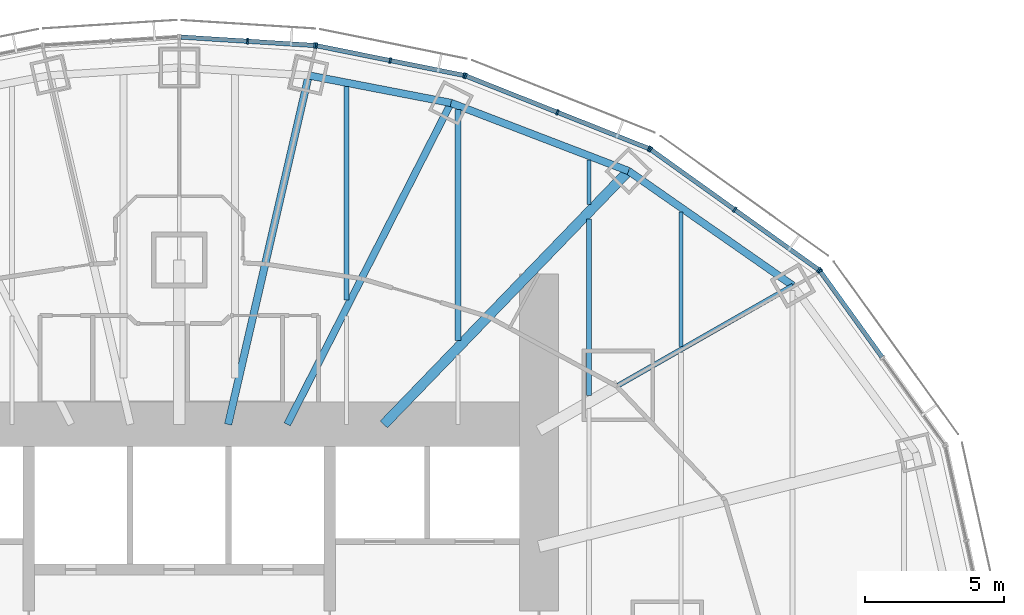
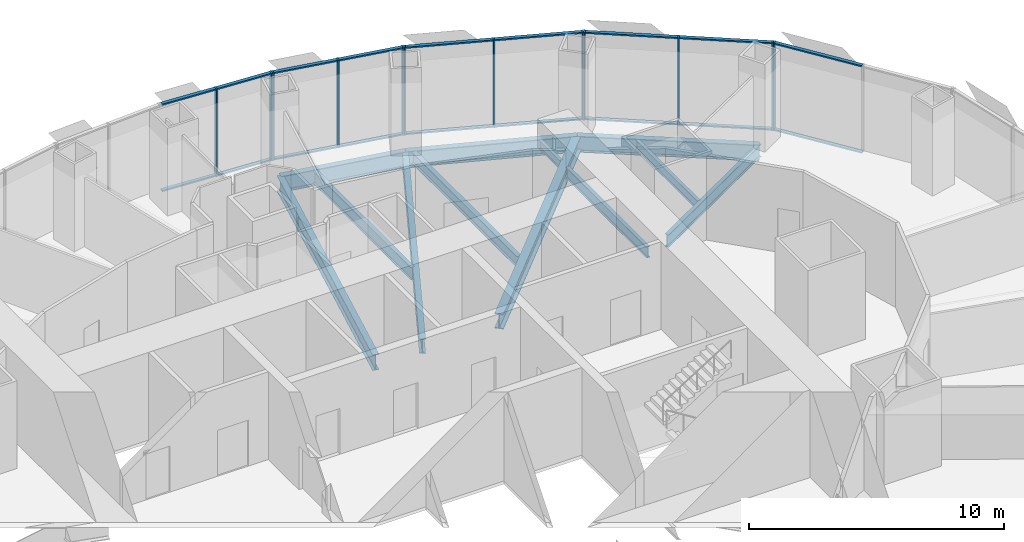
# One storey, part 8 of 18: 30 members, 12 beams, 5 elements without a shape of their own.
"""IFC4 building model written with IfcOpenShell, lengths in metres."""

from ifc_helpers import new_model, si_unit, direction, frame, origin, origin_2d, place, context, subcontext, project, spatial, rectangle, i_section, extrude, material, material_profile, profile_set, type_object, element, aggregate, save


model = new_model("IFC4")

# Units and contexts
model_context = context("Model", 3, precision=1e-05, world=origin(), true_north=direction((0.0, 1.0)))
body_context = subcontext(model_context, "Body", "Model", "MODEL_VIEW")
ifc_project = project(units=[si_unit("LENGTHUNIT", "METRE"), si_unit("AREAUNIT", "SQUARE_METRE"), si_unit("VOLUMEUNIT", "CUBIC_METRE"), si_unit("PLANEANGLEUNIT", "RADIAN"), si_unit("MASSUNIT", "GRAM", prefix="KILO")], contexts=[model_context])

# Site, building, storey
site_placement = place(None, origin())
site = spatial("IfcSite", under=ifc_project, at=site_placement, CompositionType="ELEMENT")
building_placement = place(site_placement, origin())
building = spatial("IfcBuilding", under=site, at=building_placement, Name="Lantaw Convention Tower", CompositionType="ELEMENT")
storey_placement = place(building_placement, frame((0.0, 0.0, 138.39990234375)))
storey = spatial("IfcBuildingStorey", under=building, at=storey_placement, Name="L32", CompositionType="ELEMENT", Elevation=138.39990234375)

# Beams
ifc_material_1 = material(Name="Steel ASTM A992", Category="steel")
ifc_material_profile_1 = material_profile(ifc_material_1, i_section(OverallWidth=0.2666015625, OverallDepth=0.76953125, WebThickness=0.015625, FlangeThickness=0.025390625, FilletRadius=0.0126953125, at=origin_2d()), Name="W30X132")
ifc_profile_set_1 = profile_set([ifc_material_profile_1], Name="Steel ASTM A992")
beam_type_1 = type_object("IfcBeamType", Name="Beam E W30X132", PredefinedType="SPANDREL", material=ifc_profile_set_1)
beam_1_placement = place(storey_placement, frame((22.013916015625, 12.579345703125, -0.53466796875), z_axis=(-0.820310765287, 0.57191804339, 0.0), x_axis=(-0.57191804339, -0.820310765287, 0.0)))
element("IfcBeam", 1, at=beam_1_placement, inside=storey, type_object=beam_type_1, Name="Edge beam 3", PredefinedType="SPANDREL", context=body_context, shape_type="SweptSolid", body=[
    extrude(i_section(OverallWidth=0.2666015625, OverallDepth=0.76953125, WebThickness=0.015625, FlangeThickness=0.025390625, FilletRadius=0.0126953125, at=origin_2d()), origin(), (0.0, 0.0, 1.0), 7.187744140625),
])
beam_2_placement = place(storey_placement, frame((16.11767578125, 16.690185546875, -0.53466796875), z_axis=(-0.933691081977, 0.358079549033, 0.0), x_axis=(-0.358079549033, -0.933691081977, 0.0)))
element("IfcBeam", 2, at=beam_2_placement, inside=storey, type_object=beam_type_1, Name="Edge beam 4", PredefinedType="SPANDREL", context=body_context, shape_type="SweptSolid", body=[
    extrude(i_section(OverallWidth=0.2666015625, OverallDepth=0.76953125, WebThickness=0.015625, FlangeThickness=0.025390625, FilletRadius=0.0126953125, at=origin_2d()), origin(), (0.0, 0.0, 1.0), 6.821533203125),
])
beam_3_placement = place(storey_placement, frame((9.74853515625, 19.1328125, -0.53466796875), z_axis=(-0.981796805654, 0.189934284446, 0.0), x_axis=(-0.189934284446, -0.981796805654, 0.0)))
element("IfcBeam", 3, at=beam_3_placement, inside=storey, type_object=beam_type_1, Name="Edge beam 5", PredefinedType="SPANDREL", context=body_context, shape_type="SweptSolid", body=[
    extrude(i_section(OverallWidth=0.2666015625, OverallDepth=0.76953125, WebThickness=0.015625, FlangeThickness=0.025390625, FilletRadius=0.0126953125, at=origin_2d()), origin(), (0.0, 0.0, 1.0), 5.1982421875),
])
ifc_material_profile_2 = material_profile(ifc_material_1, i_section(OverallWidth=0.177978515625, OverallDepth=0.599365234375, WebThickness=0.010009765625, FlangeThickness=0.012939453125, FilletRadius=0.012939453125, at=origin_2d()), Name="W24X55")
ifc_profile_set_2 = profile_set([ifc_material_profile_2], Name="Steel ASTM A992")
beam_type_2 = type_object("IfcBeamType", Name="Beam G W24X55", PredefinedType="BEAM", material=ifc_profile_set_2)
beam_4_placement = place(storey_placement, frame((15.75, 9.0, -0.44970703125), z_axis=(0.868245224608, 0.496135293993, 0.0), x_axis=(-0.496135293993, 0.868245224608, 0.0)))
element("IfcBeam", 4, at=beam_4_placement, inside=storey, type_object=beam_type_2, Name="Floor girder on ray 3", PredefinedType="BEAM", context=body_context, shape_type="SweptSolid", body=[
    extrude(i_section(OverallWidth=0.177978515625, OverallDepth=0.599365234375, WebThickness=0.010009765625, FlangeThickness=0.012939453125, FilletRadius=0.012939453125, at=origin_2d()), origin(), (0.0, 0.0, 1.0), 7.21435546875),
])
ifc_material_profile_3 = material_profile(ifc_material_1, i_section(OverallWidth=0.25390625, OverallDepth=0.700927734375, WebThickness=0.015380859375, FlangeThickness=0.02783203125, FilletRadius=0.01513671875, at=origin_2d()), Name="W27X129")
ifc_profile_set_3 = profile_set([ifc_material_profile_3], Name="Steel ASTM A992")
beam_type_3 = type_object("IfcBeamType", Name="Beam G W27X129", PredefinedType="BEAM", material=ifc_profile_set_3)
beam_5_placement = place(storey_placement, frame((3.872314453125, 7.60009765625, -0.50048828125), z_axis=(0.453991051051, 0.891006243281, 0.0), x_axis=(-0.891006243281, 0.453991051051, 0.0)))
element("IfcBeam", 5, at=beam_5_placement, inside=storey, type_object=beam_type_3, Name="Floor girder on ray 5", PredefinedType="BEAM", context=body_context, shape_type="SweptSolid", body=[
    extrude(i_section(OverallWidth=0.25390625, OverallDepth=0.700927734375, WebThickness=0.015380859375, FlangeThickness=0.02783203125, FilletRadius=0.01513671875, at=origin_2d()), origin(), (0.0, 0.0, 1.0), 12.943359375),
])
ifc_material_profile_4 = material_profile(ifc_material_1, i_section(OverallWidth=0.360595703125, OverallDepth=0.72900390625, WebThickness=0.023193359375, FlangeThickness=0.041015625, FilletRadius=0.0126953125, at=origin_2d()), Name="W27X235")
ifc_profile_set_4 = profile_set([ifc_material_profile_4], Name="Steel ASTM A992")
beam_type_4 = type_object("IfcBeamType", Name="Beam G W27X235", PredefinedType="BEAM", material=ifc_profile_set_4)
beam_6_placement = place(storey_placement, frame((7.33935546875, 7.60009765625, -0.514404296875), z_axis=(0.694663467407, 0.719334878239, 0.0), x_axis=(-0.719334878239, 0.694663467407, 0.0)))
element("IfcBeam", 6, at=beam_6_placement, inside=storey, type_object=beam_type_4, Name="Floor girder on ray 4", PredefinedType="BEAM", context=body_context, shape_type="SweptSolid", body=[
    extrude(i_section(OverallWidth=0.360595703125, OverallDepth=0.72900390625, WebThickness=0.023193359375, FlangeThickness=0.041015625, FilletRadius=0.0126953125, at=origin_2d()), origin(), (0.0, 0.0, 1.0), 12.63671875),
])
ifc_material_profile_5 = material_profile(ifc_material_1, i_section(OverallWidth=0.2666015625, OverallDepth=0.7568359375, WebThickness=0.013916015625, FlangeThickness=0.019287109375, FilletRadius=0.0126953125, at=origin_2d()), Name="W30X108")
ifc_profile_set_5 = profile_set([ifc_material_profile_5], Name="Steel ASTM A992")
beam_type_5 = type_object("IfcBeamType", Name="Beam G W30X108", PredefinedType="BEAM", material=ifc_profile_set_5)
beam_7_placement = place(storey_placement, frame((1.754638671875, 7.60009765625, -0.5283203125), z_axis=(0.224944153104, 0.974371658036, 0.0), x_axis=(-0.974371658036, 0.224944153104, 0.0)))
element("IfcBeam", 7, at=beam_7_placement, inside=storey, type_object=beam_type_5, Name="Floor girder on ray 6", PredefinedType="BEAM", context=body_context, shape_type="SweptSolid", body=[
    extrude(i_section(OverallWidth=0.2666015625, OverallDepth=0.7568359375, WebThickness=0.013916015625, FlangeThickness=0.019287109375, FilletRadius=0.0126953125, at=origin_2d()), origin(), (0.0, 0.0, 1.0), 12.849365234375),
])
ifc_material_profile_6 = material_profile(ifc_material_1, i_section(OverallWidth=0.140380859375, OverallDepth=0.40380859375, WebThickness=0.007080078125, FlangeThickness=0.01123046875, FilletRadius=0.01025390625, at=origin_2d()), Name="W16X31")
ifc_profile_set_6 = profile_set([ifc_material_profile_6], Name="Steel ASTM A992")
beam_type_6 = type_object("IfcBeamType", Name="Beam J W16X31", PredefinedType="JOIST", material=ifc_profile_set_6)
beam_8_placement = place(storey_placement, frame((14.699951171875, 15.48193359375, -0.351806640625), z_axis=(0.0, 1.0, 0.0), x_axis=(-1.0, 0.0, 0.0)))
element("IfcBeam", 8, at=beam_8_placement, inside=storey, type_object=beam_type_6, Name="Floor joist", PredefinedType="JOIST", context=body_context, shape_type="SweptSolid", body=[
    extrude(i_section(OverallWidth=0.140380859375, OverallDepth=0.40380859375, WebThickness=0.007080078125, FlangeThickness=0.01123046875, FilletRadius=0.01025390625, at=origin_2d()), origin(), (0.0, 0.0, 1.0), 1.609130859375),
])
ifc_material_profile_7 = material_profile(ifc_material_1, i_section(OverallWidth=0.15234375, OverallDepth=0.449462890625, WebThickness=0.007568359375, FlangeThickness=0.0107421875, FilletRadius=0.01025390625, at=origin_2d()), Name="W18X35")
ifc_profile_set_7 = profile_set([ifc_material_profile_7], Name="Steel ASTM A992")
beam_type_7 = type_object("IfcBeamType", Name="Beam J W18X35", PredefinedType="JOIST", material=ifc_profile_set_7)
beam_9_placement = place(storey_placement, frame((18.0, 10.38818359375, -0.374755859375), z_axis=(0.0, 1.0, 0.0), x_axis=(-1.0, 0.0, 0.0)))
element("IfcBeam", 9, at=beam_9_placement, inside=storey, type_object=beam_type_7, Name="Floor joist", PredefinedType="JOIST", context=body_context, shape_type="SweptSolid", body=[
    extrude(i_section(OverallWidth=0.15234375, OverallDepth=0.449462890625, WebThickness=0.007568359375, FlangeThickness=0.0107421875, FilletRadius=0.01025390625, at=origin_2d()), origin(), (0.0, 0.0, 1.0), 4.8271484375),
])
ifc_material_profile_8 = material_profile(ifc_material_1, i_section(OverallWidth=0.1650390625, OverallDepth=0.52587890625, WebThickness=0.0087890625, FlangeThickness=0.011474609375, FilletRadius=0.0126953125, at=origin_2d()), Name="W21X44")
ifc_profile_set_8 = profile_set([ifc_material_profile_8], Name="Steel ASTM A992")
beam_type_8 = type_object("IfcBeamType", Name="Beam J W21X44", PredefinedType="JOIST", material=ifc_profile_set_8)
beam_10_placement = place(storey_placement, frame((14.699951171875, 8.632568359375, -0.412841796875), z_axis=(0.0, 1.0, 0.0), x_axis=(-1.0, 0.0, 0.0)))
element("IfcBeam", 10, at=beam_10_placement, inside=storey, type_object=beam_type_8, Name="Floor joist", PredefinedType="JOIST", context=body_context, shape_type="SweptSolid", body=[
    extrude(i_section(OverallWidth=0.1650390625, OverallDepth=0.52587890625, WebThickness=0.0087890625, FlangeThickness=0.011474609375, FilletRadius=0.0126953125, at=origin_2d()), origin(), (0.0, 0.0, 1.0), 6.330078125),
])
ifc_material_profile_9 = material_profile(ifc_material_1, i_section(OverallWidth=0.2099609375, OverallDepth=0.535888671875, WebThickness=0.010986328125, FlangeThickness=0.017333984375, FilletRadius=0.012939453125, at=origin_2d()), Name="W21X68")
ifc_profile_set_9 = profile_set([ifc_material_profile_9], Name="Steel ASTM A992")
beam_type_9 = type_object("IfcBeamType", Name="Beam J W21X68", PredefinedType="JOIST", material=ifc_profile_set_9)
beam_11_placement = place(storey_placement, frame((10.0, 10.614990234375, -0.41796875), z_axis=(0.0, 1.0, 0.0), x_axis=(-1.0, 0.0, 0.0)))
element("IfcBeam", 11, at=beam_11_placement, inside=storey, type_object=beam_type_9, Name="Floor joist", PredefinedType="JOIST", context=body_context, shape_type="SweptSolid", body=[
    extrude(i_section(OverallWidth=0.2099609375, OverallDepth=0.535888671875, WebThickness=0.010986328125, FlangeThickness=0.017333984375, FilletRadius=0.012939453125, at=origin_2d()), origin(), (0.0, 0.0, 1.0), 8.278564453125),
])
ifc_material_profile_10 = material_profile(ifc_material_1, i_section(OverallWidth=0.177978515625, OverallDepth=0.599365234375, WebThickness=0.010009765625, FlangeThickness=0.012939453125, FilletRadius=0.012939453125, at=origin_2d()), Name="W24X55")
ifc_profile_set_10 = profile_set([ifc_material_profile_10], Name="Steel ASTM A992")
beam_type_10 = type_object("IfcBeamType", Name="Beam J W24X55", PredefinedType="JOIST", material=ifc_profile_set_10)
beam_12_placement = place(storey_placement, frame((6.0, 12.055419921875, -0.44970703125), z_axis=(0.0, 1.0, 0.0), x_axis=(-1.0, 0.0, 0.0)))
element("IfcBeam", 12, at=beam_12_placement, inside=storey, type_object=beam_type_10, Name="Floor joist", PredefinedType="JOIST", context=body_context, shape_type="SweptSolid", body=[
    extrude(i_section(OverallWidth=0.177978515625, OverallDepth=0.599365234375, WebThickness=0.010009765625, FlangeThickness=0.012939453125, FilletRadius=0.012939453125, at=origin_2d()), origin(), (0.0, 0.0, 1.0), 7.666748046875),
])

# Curtain wall, member
ifc_material_2 = material(Name="Aluminium framed curtain wall", Category="aluminium")
curtain_wall_type = type_object("IfcCurtainWallType", Name="Office curtain wall low rise, pale aluminium", PredefinedType="USERDEFINED", material=ifc_material_2)
curtain_wall_1_placement = place(storey_placement, origin())
curtain_wall_1 = element("IfcCurtainWall", 13, at=curtain_wall_1_placement, inside=storey, type_object=curtain_wall_type, Name="Office curtain wall low rise, pale aluminium L32", ObjectType="UNITISED CURTAIN WALL", PredefinedType="USERDEFINED")
ifc_material_3 = material(Name="Aluminium 6063-T6", Category="aluminium")
ifc_material_profile_11 = material_profile(ifc_material_3, rectangle(XDim=0.199951171875, YDim=0.06494140625, at=origin_2d()), Name="CW-O1 mullion 65x200")
ifc_profile_set_11 = profile_set([ifc_material_profile_11], Name="Aluminium 6063-T6")
member_type_1 = type_object("IfcMemberType", Name="CW-O1 mullion 65x200", PredefinedType="MULLION", material=ifc_profile_set_11)
member_1_placement = place(storey_placement, frame((22.988037109375, 13.098876953125, -0.14990234375), z_axis=(0.0, 0.0, 1.0), x_axis=(-0.811384633629, -0.584512597221, 0.0)))
member_1 = element("IfcMember", 14, at=member_1_placement, type_object=member_type_1, Name="CW-O1 mullion 3", PredefinedType="MULLION", context=body_context, shape_type="SweptSolid", body=[
    extrude(rectangle(XDim=0.199951171875, YDim=0.06494140625, at=origin_2d()), origin(), (0.0, 0.0, 1.0), 4.199951171875),
])

# Curtain wall, members
curtain_wall_2_placement = place(storey_placement, origin())
curtain_wall_2 = element("IfcCurtainWall", 15, at=curtain_wall_2_placement, inside=storey, type_object=curtain_wall_type, Name="Office curtain wall low rise, pale aluminium L32", ObjectType="UNITISED CURTAIN WALL", PredefinedType="USERDEFINED")
member_2_placement = place(storey_placement, frame((22.942626953125, 13.14404296875, -0.14990234375), z_axis=(0.0, 0.0, 1.0), x_axis=(-0.581972695693, -0.813208325995, 0.0)))
member_2 = element("IfcMember", 16, at=member_2_placement, type_object=member_type_1, Name="CW-O1 mullion 1", PredefinedType="MULLION", context=body_context, shape_type="SweptSolid", body=[
    extrude(rectangle(XDim=0.199951171875, YDim=0.06494140625, at=origin_2d()), origin(), (0.0, 0.0, 1.0), 4.199951171875),
])
member_3_placement = place(storey_placement, frame((19.92529296875, 15.303466796875, -0.14990234375), z_axis=(0.0, 0.0, 1.0), x_axis=(-0.581972695693, -0.813208325995, 0.0)))
member_3 = element("IfcMember", 17, at=member_3_placement, type_object=member_type_1, Name="CW-O1 mullion 2", PredefinedType="MULLION", context=body_context, shape_type="SweptSolid", body=[
    extrude(rectangle(XDim=0.199951171875, YDim=0.06494140625, at=origin_2d()), origin(), (0.0, 0.0, 1.0), 4.199951171875),
])
member_4_placement = place(storey_placement, frame((16.908203125, 17.462646484375, -0.14990234375), z_axis=(0.0, 0.0, 1.0), x_axis=(-0.581972695693, -0.813208325995, 0.0)))
member_4 = element("IfcMember", 18, at=member_4_placement, type_object=member_type_1, Name="CW-O1 mullion 3", PredefinedType="MULLION", context=body_context, shape_type="SweptSolid", body=[
    extrude(rectangle(XDim=0.199951171875, YDim=0.06494140625, at=origin_2d()), origin(), (0.0, 0.0, 1.0), 4.199951171875),
])

curtain_wall_3_placement = place(storey_placement, origin())
curtain_wall_3 = element("IfcCurtainWall", 19, at=curtain_wall_3_placement, inside=storey, type_object=curtain_wall_type, Name="Office curtain wall low rise, pale aluminium L32", ObjectType="UNITISED CURTAIN WALL", PredefinedType="USERDEFINED")
member_5_placement = place(storey_placement, frame((16.8515625, 17.49365234375, -0.14990234375), z_axis=(0.0, 0.0, 1.0), x_axis=(-0.368701907483, -0.929547687544, 0.0)))
member_5 = element("IfcMember", 20, at=member_5_placement, type_object=member_type_1, Name="CW-O1 mullion 1", PredefinedType="MULLION", context=body_context, shape_type="SweptSolid", body=[
    extrude(rectangle(XDim=0.199951171875, YDim=0.06494140625, at=origin_2d()), origin(), (0.0, 0.0, 1.0), 4.199951171875),
])
member_6_placement = place(storey_placement, frame((13.56494140625, 18.797119140625, -0.14990234375), z_axis=(0.0, 0.0, 1.0), x_axis=(-0.368701907483, -0.929547687544, 0.0)))
member_6 = element("IfcMember", 21, at=member_6_placement, type_object=member_type_1, Name="CW-O1 mullion 2", PredefinedType="MULLION", context=body_context, shape_type="SweptSolid", body=[
    extrude(rectangle(XDim=0.199951171875, YDim=0.06494140625, at=origin_2d()), origin(), (0.0, 0.0, 1.0), 4.199951171875),
])
member_7_placement = place(storey_placement, frame((10.2783203125, 20.100830078125, -0.14990234375), z_axis=(0.0, 0.0, 1.0), x_axis=(-0.368701907483, -0.929547687544, 0.0)))
member_7 = element("IfcMember", 22, at=member_7_placement, type_object=member_type_1, Name="CW-O1 mullion 3", PredefinedType="MULLION", context=body_context, shape_type="SweptSolid", body=[
    extrude(rectangle(XDim=0.199951171875, YDim=0.06494140625, at=origin_2d()), origin(), (0.0, 0.0, 1.0), 4.199951171875),
])

curtain_wall_4_placement = place(storey_placement, origin())
curtain_wall_4 = element("IfcCurtainWall", 23, at=curtain_wall_4_placement, inside=storey, type_object=curtain_wall_type, Name="Office curtain wall low rise, pale aluminium L32", ObjectType="UNITISED CURTAIN WALL", PredefinedType="USERDEFINED")
member_8_placement = place(storey_placement, frame((10.216064453125, 20.119140625, -0.14990234375), z_axis=(0.0, 0.0, 1.0), x_axis=(-0.197506809659, -0.980301514912, 0.0)))
member_8 = element("IfcMember", 24, at=member_8_placement, type_object=member_type_1, Name="CW-O1 mullion 1", PredefinedType="MULLION", context=body_context, shape_type="SweptSolid", body=[
    extrude(rectangle(XDim=0.199951171875, YDim=0.06494140625, at=origin_2d()), origin(), (0.0, 0.0, 1.0), 4.199951171875),
])
member_9_placement = place(storey_placement, frame((7.5703125, 20.65234375, -0.14990234375), z_axis=(0.0, 0.0, 1.0), x_axis=(-0.197506809659, -0.980301514912, 0.0)))
member_9 = element("IfcMember", 25, at=member_9_placement, type_object=member_type_1, Name="CW-O1 mullion 2", PredefinedType="MULLION", context=body_context, shape_type="SweptSolid", body=[
    extrude(rectangle(XDim=0.199951171875, YDim=0.06494140625, at=origin_2d()), origin(), (0.0, 0.0, 1.0), 4.199951171875),
])
member_10_placement = place(storey_placement, frame((4.92431640625, 21.185302734375, -0.14990234375), z_axis=(0.0, 0.0, 1.0), x_axis=(-0.197506809659, -0.980301514912, 0.0)))
member_10 = element("IfcMember", 26, at=member_10_placement, type_object=member_type_1, Name="CW-O1 mullion 3", PredefinedType="MULLION", context=body_context, shape_type="SweptSolid", body=[
    extrude(rectangle(XDim=0.199951171875, YDim=0.06494140625, at=origin_2d()), origin(), (0.0, 0.0, 1.0), 4.199951171875),
])

curtain_wall_5_placement = place(storey_placement, origin())
curtain_wall_5 = element("IfcCurtainWall", 27, at=curtain_wall_5_placement, inside=storey, type_object=curtain_wall_type, Name="Office curtain wall low rise, pale aluminium L32", ObjectType="UNITISED CURTAIN WALL", PredefinedType="USERDEFINED")
member_11_placement = place(storey_placement, frame((4.860107421875, 21.19384765625, -0.14990234375), z_axis=(0.0, 0.0, 1.0), x_axis=(-0.062865059466, -0.998022035978, 0.0)))
member_11 = element("IfcMember", 28, at=member_11_placement, type_object=member_type_1, Name="CW-O1 mullion 1", PredefinedType="MULLION", context=body_context, shape_type="SweptSolid", body=[
    extrude(rectangle(XDim=0.199951171875, YDim=0.06494140625, at=origin_2d()), origin(), (0.0, 0.0, 1.0), 4.199951171875),
])
member_12_placement = place(storey_placement, frame((2.4462890625, 21.345947265625, -0.14990234375), z_axis=(0.0, 0.0, 1.0), x_axis=(-0.062865059466, -0.998022035978, 0.0)))
member_12 = element("IfcMember", 29, at=member_12_placement, type_object=member_type_1, Name="CW-O1 mullion 2", PredefinedType="MULLION", context=body_context, shape_type="SweptSolid", body=[
    extrude(rectangle(XDim=0.199951171875, YDim=0.06494140625, at=origin_2d()), origin(), (0.0, 0.0, 1.0), 4.199951171875),
])

# Member
ifc_material_profile_12 = material_profile(ifc_material_3, rectangle(XDim=0.159912109375, YDim=0.06494140625, at=origin_2d()), Name="CW-O1 transom 65x160")
ifc_profile_set_12 = profile_set([ifc_material_profile_12], Name="Aluminium 6063-T6")
member_type_2 = type_object("IfcMemberType", Name="CW-O1 transom 65x160", PredefinedType="USERDEFINED", material=ifc_profile_set_12)
member_13_placement = place(storey_placement, frame((25.209228515625, 10.015625, -0.117431640625), z_axis=(-0.584512973979, 0.811384362217, 0.0), x_axis=(-0.811384362217, -0.584512973979, 0.0)))
member_13 = element("IfcMember", 30, at=member_13_placement, type_object=member_type_2, Name="CW-O1 transom 2.1", ObjectType="TRANSOM", PredefinedType="USERDEFINED", context=body_context, shape_type="SweptSolid", body=[
    extrude(rectangle(XDim=0.159912109375, YDim=0.06494140625, at=origin_2d()), origin(), (0.0, 0.0, 1.0), 3.767578125),
])

member_14_placement = place(storey_placement, frame((25.209228515625, 10.015625, 4.017578125), z_axis=(-0.584512973979, 0.811384362217, 0.0), x_axis=(-0.811384362217, -0.584512973979, 0.0)))
member_14 = element("IfcMember", 31, at=member_14_placement, type_object=member_type_2, Name="CW-O1 transom 2.2", ObjectType="TRANSOM", PredefinedType="USERDEFINED", context=body_context, shape_type="SweptSolid", body=[
    extrude(rectangle(XDim=0.159912109375, YDim=0.06494140625, at=origin_2d()), origin(), (0.0, 0.0, 1.0), 3.767578125),
])

aggregate(curtain_wall_1, [member_1, member_13, member_14])

member_15_placement = place(storey_placement, frame((22.916259765625, 13.1630859375, -0.117431640625), z_axis=(-0.813221785972, 0.581953887194, 0.0), x_axis=(-0.581953887194, -0.813221785972, 0.0)))
member_15 = element("IfcMember", 32, at=member_15_placement, type_object=member_type_2, Name="CW-O1 transom 1.1", ObjectType="TRANSOM", PredefinedType="USERDEFINED", context=body_context, shape_type="SweptSolid", body=[
    extrude(rectangle(XDim=0.159912109375, YDim=0.06494140625, at=origin_2d()), origin(), (0.0, 0.0, 1.0), 3.645263671875),
])

member_16_placement = place(storey_placement, frame((22.916259765625, 13.1630859375, 4.017578125), z_axis=(-0.813221785972, 0.581953887194, 0.0), x_axis=(-0.581953887194, -0.813221785972, 0.0)))
member_16 = element("IfcMember", 33, at=member_16_placement, type_object=member_type_2, Name="CW-O1 transom 1.2", ObjectType="TRANSOM", PredefinedType="USERDEFINED", context=body_context, shape_type="SweptSolid", body=[
    extrude(rectangle(XDim=0.159912109375, YDim=0.06494140625, at=origin_2d()), origin(), (0.0, 0.0, 1.0), 3.645263671875),
])

member_17_placement = place(storey_placement, frame((19.89892578125, 15.322265625, -0.117431640625), z_axis=(-0.813190089133, 0.581998177777, 0.0), x_axis=(-0.581998177777, -0.813190089133, 0.0)))
member_17 = element("IfcMember", 34, at=member_17_placement, type_object=member_type_2, Name="CW-O1 transom 2.1", ObjectType="TRANSOM", PredefinedType="USERDEFINED", context=body_context, shape_type="SweptSolid", body=[
    extrude(rectangle(XDim=0.159912109375, YDim=0.06494140625, at=origin_2d()), origin(), (0.0, 0.0, 1.0), 3.645263671875),
])

member_18_placement = place(storey_placement, frame((19.89892578125, 15.322265625, 4.017578125), z_axis=(-0.813190089133, 0.581998177777, 0.0), x_axis=(-0.581998177777, -0.813190089133, 0.0)))
member_18 = element("IfcMember", 35, at=member_18_placement, type_object=member_type_2, Name="CW-O1 transom 2.2", ObjectType="TRANSOM", PredefinedType="USERDEFINED", context=body_context, shape_type="SweptSolid", body=[
    extrude(rectangle(XDim=0.159912109375, YDim=0.06494140625, at=origin_2d()), origin(), (0.0, 0.0, 1.0), 3.645263671875),
])

aggregate(curtain_wall_2, [member_2, member_3, member_4, member_15, member_16, member_17, member_18])

member_19_placement = place(storey_placement, frame((16.8212890625, 17.505615234375, -0.117431640625), z_axis=(-0.929564188507, 0.368660303592, 0.0), x_axis=(-0.368660303592, -0.929564188507, 0.0)))
member_19 = element("IfcMember", 36, at=member_19_placement, type_object=member_type_2, Name="CW-O1 transom 1.1", ObjectType="TRANSOM", PredefinedType="USERDEFINED", context=body_context, shape_type="SweptSolid", body=[
    extrude(rectangle(XDim=0.159912109375, YDim=0.06494140625, at=origin_2d()), origin(), (0.0, 0.0, 1.0), 3.470703125),
])

member_20_placement = place(storey_placement, frame((16.8212890625, 17.505615234375, 4.017578125), z_axis=(-0.929564188507, 0.368660303592, 0.0), x_axis=(-0.368660303592, -0.929564188507, 0.0)))
member_20 = element("IfcMember", 37, at=member_20_placement, type_object=member_type_2, Name="CW-O1 transom 1.2", ObjectType="TRANSOM", PredefinedType="USERDEFINED", context=body_context, shape_type="SweptSolid", body=[
    extrude(rectangle(XDim=0.159912109375, YDim=0.06494140625, at=origin_2d()), origin(), (0.0, 0.0, 1.0), 3.470703125),
])

member_21_placement = place(storey_placement, frame((13.53466796875, 18.80908203125, -0.117431640625), z_axis=(-0.929540081544, 0.368721082668, 0.0), x_axis=(-0.368721082668, -0.929540081544, 0.0)))
member_21 = element("IfcMember", 38, at=member_21_placement, type_object=member_type_2, Name="CW-O1 transom 2.1", ObjectType="TRANSOM", PredefinedType="USERDEFINED", context=body_context, shape_type="SweptSolid", body=[
    extrude(rectangle(XDim=0.159912109375, YDim=0.06494140625, at=origin_2d()), origin(), (0.0, 0.0, 1.0), 3.470947265625),
])

member_22_placement = place(storey_placement, frame((13.53466796875, 18.80908203125, 4.017578125), z_axis=(-0.929540081544, 0.368721082668, 0.0), x_axis=(-0.368721082668, -0.929540081544, 0.0)))
member_22 = element("IfcMember", 39, at=member_22_placement, type_object=member_type_2, Name="CW-O1 transom 2.2", ObjectType="TRANSOM", PredefinedType="USERDEFINED", context=body_context, shape_type="SweptSolid", body=[
    extrude(rectangle(XDim=0.159912109375, YDim=0.06494140625, at=origin_2d()), origin(), (0.0, 0.0, 1.0), 3.470947265625),
])

aggregate(curtain_wall_3, [member_5, member_6, member_7, member_19, member_20, member_21, member_22])

member_23_placement = place(storey_placement, frame((10.184326171875, 20.125732421875, -0.117431640625), z_axis=(-0.980301643003, 0.197506173891, 0.0), x_axis=(-0.197506173891, -0.980301643003, 0.0)))
member_23 = element("IfcMember", 40, at=member_23_placement, type_object=member_type_2, Name="CW-O1 transom 1.1", ObjectType="TRANSOM", PredefinedType="USERDEFINED", context=body_context, shape_type="SweptSolid", body=[
    extrude(rectangle(XDim=0.159912109375, YDim=0.06494140625, at=origin_2d()), origin(), (0.0, 0.0, 1.0), 2.63427734375),
])

member_24_placement = place(storey_placement, frame((10.184326171875, 20.125732421875, 4.017578125), z_axis=(-0.980301643003, 0.197506173891, 0.0), x_axis=(-0.197506173891, -0.980301643003, 0.0)))
member_24 = element("IfcMember", 41, at=member_24_placement, type_object=member_type_2, Name="CW-O1 transom 1.2", ObjectType="TRANSOM", PredefinedType="USERDEFINED", context=body_context, shape_type="SweptSolid", body=[
    extrude(rectangle(XDim=0.159912109375, YDim=0.06494140625, at=origin_2d()), origin(), (0.0, 0.0, 1.0), 2.63427734375),
])

member_25_placement = place(storey_placement, frame((7.538330078125, 20.65869140625, -0.117431640625), z_axis=(-0.980298027092, 0.197524120247, 0.0), x_axis=(-0.197524120247, -0.980298027092, 0.0)))
member_25 = element("IfcMember", 42, at=member_25_placement, type_object=member_type_2, Name="CW-O1 transom 2.1", ObjectType="TRANSOM", PredefinedType="USERDEFINED", context=body_context, shape_type="SweptSolid", body=[
    extrude(rectangle(XDim=0.159912109375, YDim=0.06494140625, at=origin_2d()), origin(), (0.0, 0.0, 1.0), 2.634033203125),
])

member_26_placement = place(storey_placement, frame((7.538330078125, 20.65869140625, 4.017578125), z_axis=(-0.980298027092, 0.197524120247, 0.0), x_axis=(-0.197524120247, -0.980298027092, 0.0)))
member_26 = element("IfcMember", 43, at=member_26_placement, type_object=member_type_2, Name="CW-O1 transom 2.2", ObjectType="TRANSOM", PredefinedType="USERDEFINED", context=body_context, shape_type="SweptSolid", body=[
    extrude(rectangle(XDim=0.159912109375, YDim=0.06494140625, at=origin_2d()), origin(), (0.0, 0.0, 1.0), 2.634033203125),
])

aggregate(curtain_wall_4, [member_8, member_9, member_10, member_23, member_24, member_25, member_26])

member_27_placement = place(storey_placement, frame((4.82763671875, 21.19580078125, -0.117431640625), z_axis=(-0.998022188463, 0.062862638625, 0.0), x_axis=(-0.062862638625, -0.998022188463, 0.0)))
member_27 = element("IfcMember", 44, at=member_27_placement, type_object=member_type_2, Name="CW-O1 transom 1.1", ObjectType="TRANSOM", PredefinedType="USERDEFINED", context=body_context, shape_type="SweptSolid", body=[
    extrude(rectangle(XDim=0.159912109375, YDim=0.06494140625, at=origin_2d()), origin(), (0.0, 0.0, 1.0), 2.353515625),
])

member_28_placement = place(storey_placement, frame((4.82763671875, 21.19580078125, 4.017578125), z_axis=(-0.998022188463, 0.062862638625, 0.0), x_axis=(-0.062862638625, -0.998022188463, 0.0)))
member_28 = element("IfcMember", 45, at=member_28_placement, type_object=member_type_2, Name="CW-O1 transom 1.2", ObjectType="TRANSOM", PredefinedType="USERDEFINED", context=body_context, shape_type="SweptSolid", body=[
    extrude(rectangle(XDim=0.159912109375, YDim=0.06494140625, at=origin_2d()), origin(), (0.0, 0.0, 1.0), 2.353515625),
])

member_29_placement = place(storey_placement, frame((2.413818359375, 21.347900390625, -0.117431640625), z_axis=(-0.998022188463, 0.062862638625, 0.0), x_axis=(-0.062862638625, -0.998022188463, 0.0)))
member_29 = element("IfcMember", 46, at=member_29_placement, type_object=member_type_2, Name="CW-O1 transom 2.1", ObjectType="TRANSOM", PredefinedType="USERDEFINED", context=body_context, shape_type="SweptSolid", body=[
    extrude(rectangle(XDim=0.159912109375, YDim=0.06494140625, at=origin_2d()), origin(), (0.0, 0.0, 1.0), 2.353515625),
])

member_30_placement = place(storey_placement, frame((2.413818359375, 21.347900390625, 4.017578125), z_axis=(-0.998022188463, 0.062862638625, 0.0), x_axis=(-0.062862638625, -0.998022188463, 0.0)))
member_30 = element("IfcMember", 47, at=member_30_placement, type_object=member_type_2, Name="CW-O1 transom 2.2", ObjectType="TRANSOM", PredefinedType="USERDEFINED", context=body_context, shape_type="SweptSolid", body=[
    extrude(rectangle(XDim=0.159912109375, YDim=0.06494140625, at=origin_2d()), origin(), (0.0, 0.0, 1.0), 2.353515625),
])

aggregate(curtain_wall_5, [member_11, member_12, member_27, member_28, member_29, member_30])

save(model, "model.ifc")
